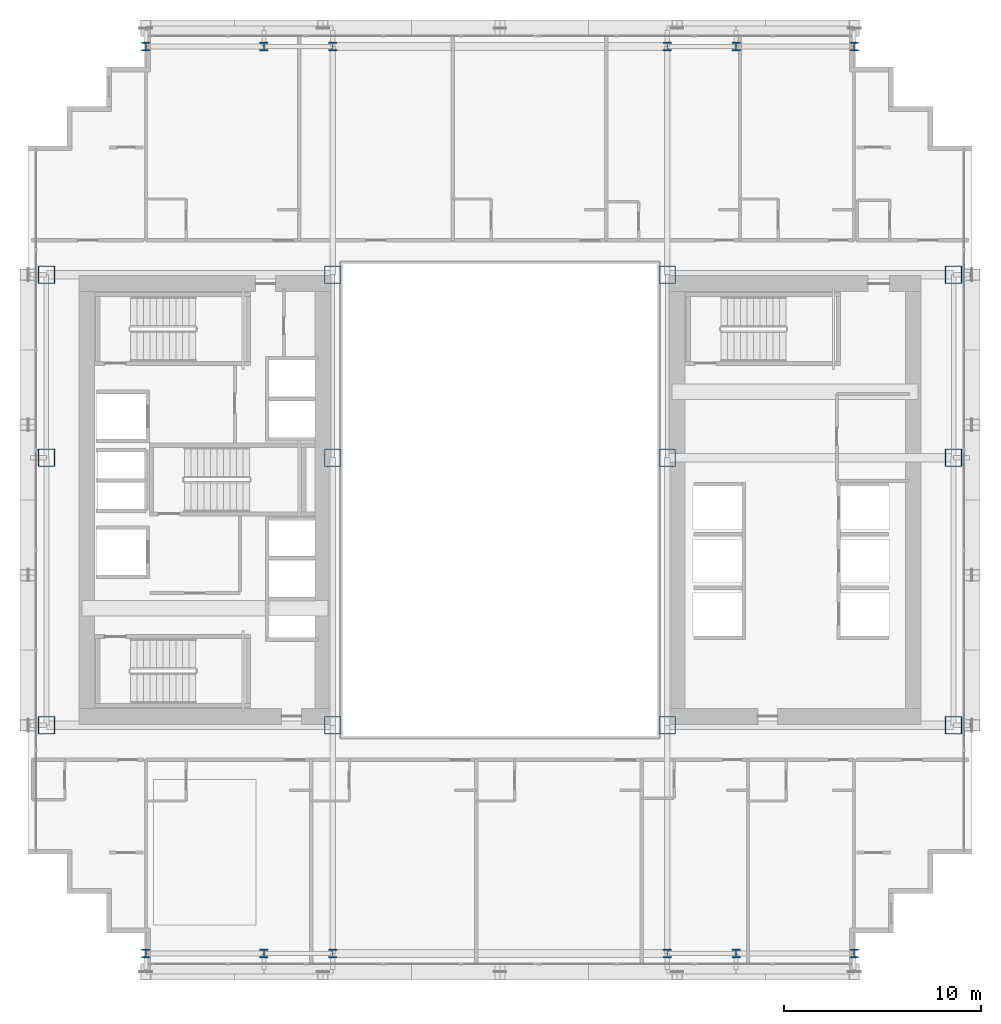
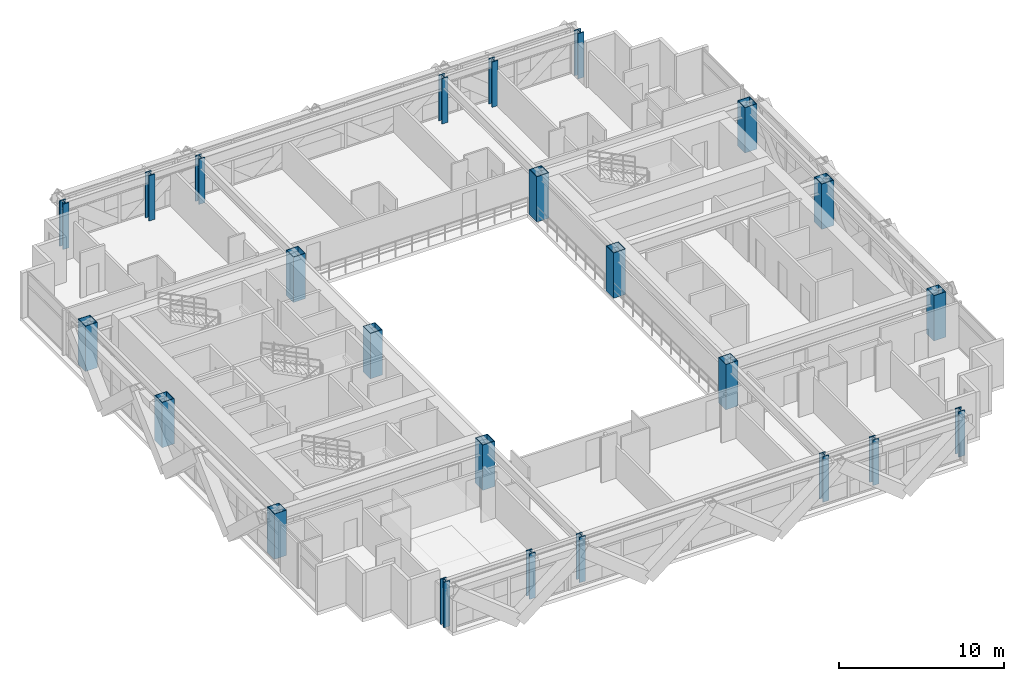
# One storey, part 1 of 38: 24 columns.
"""IFC4 building model written with IfcOpenShell, lengths in metres."""

from ifc_helpers import new_model, si_unit, direction, frame, origin, origin_2d, place, context, subcontext, project, spatial, hollow_rectangle, i_section, extrude, source, transform, mapped, material, material_profile, profile_set, type_object, element, save


model = new_model("IFC4")

# Units and contexts
model_context = context("Model", 3, precision=1e-05, world=origin(), true_north=direction((0.0, 1.0)))
body_context = subcontext(model_context, "Body", "Model", "MODEL_VIEW")
ifc_project = project(units=[si_unit("LENGTHUNIT", "METRE"), si_unit("AREAUNIT", "SQUARE_METRE"), si_unit("VOLUMEUNIT", "CUBIC_METRE"), si_unit("PLANEANGLEUNIT", "RADIAN"), si_unit("MASSUNIT", "GRAM", prefix="KILO")], contexts=[model_context])

# Site, building, storey
site_placement = place(None, origin())
site = spatial("IfcSite", under=ifc_project, at=site_placement, CompositionType="ELEMENT")
building_placement = place(site_placement, origin())
building = spatial("IfcBuilding", under=site, at=building_placement, Name="Ocotamira Hotel", CompositionType="ELEMENT")
storey_placement = place(building_placement, frame((0.0, 0.0, 60.0)))
storey = spatial("IfcBuildingStorey", under=building, at=storey_placement, Name="L14", CompositionType="ELEMENT", Elevation=60.0)

# Columns
ifc_material = material(Name="Steel ASTM A913 Grade 65", Category="steel")
ifc_material_profile_1 = material_profile(ifc_material, hollow_rectangle(XDim=0.85009765625, YDim=0.89990234375, WallThickness=0.0400390625, at=origin_2d()), Name="BOX900X850X40")
ifc_profile_set_1 = profile_set([ifc_material_profile_1], Name="Steel ASTM A913 Grade 65")
column_type_1 = type_object("IfcColumnType", Name="COL-BOX900", PredefinedType="COLUMN", material=ifc_profile_set_1)
shared_shape_1 = source(origin(), body_context, "Body", "SweptSolid", [
    extrude(hollow_rectangle(XDim=0.85009765625, YDim=0.89990234375, WallThickness=0.0400390625, at=origin_2d()), origin(), (0.0, 0.0, 1.0), 3.35009765625),
])
for number, where, z_axis, x_axis, name in (
    (1, (8.949951171875, 14.550048828125, 0.0), (0.0, 0.0, 1.0), (1.0, 0.0, 0.0), "L14 Column TW8_14"),
    (2, (23.5, 14.550048828125, 0.0), (0.0, 0.0, 1.0), (1.0, 0.0, 0.0), "L14 Column TW23_14"),
    (3, (40.5, 14.550048828125, 0.0), (0.0, 0.0, 1.0), (1.0, 0.0, 0.0), "L14 Column TE40_14"),
    (4, (55.050048828125, 14.550048828125, 0.0), (0.0, 0.0, 1.0), (1.0, 0.0, 0.0), "L14 Column TE55_14"),
    (5, (8.949951171875, 28.14990234375, 0.0), (0.0, 0.0, 1.0), (1.0, 0.0, 0.0), "L14 Column TW8_28"),
    (6, (23.5, 28.14990234375, 0.0), (0.0, 0.0, 1.0), (1.0, 0.0, 0.0), "L14 Column TW23_28"),
    (7, (40.5, 28.14990234375, 0.0), (0.0, 0.0, 1.0), (1.0, 0.0, 0.0), "L14 Column TE40_28"),
    (8, (55.050048828125, 28.14990234375, 0.0), (0.0, 0.0, 1.0), (1.0, 0.0, 0.0), "L14 Column TE55_28"),
    (9, (8.949951171875, 37.449951171875, 0.0), (0.0, 0.0, 1.0), (1.0, 0.0, 0.0), "L14 Column TW8_37"),
    (10, (23.5, 37.449951171875, 0.0), (0.0, 0.0, 1.0), (1.0, 0.0, 0.0), "L14 Column TW23_37"),
    (11, (40.5, 37.449951171875, 0.0), (0.0, 0.0, 1.0), (1.0, 0.0, 0.0), "L14 Column TE40_37"),
    (12, (55.050048828125, 37.449951171875, 0.0), (0.0, 0.0, 1.0), (1.0, 0.0, 0.0), "L14 Column TE55_37"),
):
    element("IfcColumn", number, at=place(storey_placement, frame(where, z_axis=z_axis, x_axis=x_axis)), inside=storey, type_object=column_type_1, Name=name, PredefinedType="COLUMN", context=body_context, shape_type="MappedRepresentation", body=[
        mapped(shared_shape_1, transform((0.0, 0.0, 0.0), scale=1.0)),
    ])
ifc_material_profile_2 = material_profile(ifc_material, i_section(OverallWidth=0.422119140625, OverallDepth=0.465087890625, WebThickness=0.044921875, FlangeThickness=0.072509765625, FilletRadius=0.02490234375, at=origin_2d()), Name="W14X398")
ifc_profile_set_2 = profile_set([ifc_material_profile_2], Name="Steel ASTM A913 Grade 65")
column_type_2 = type_object("IfcColumnType", Name="COL-W14X398", PredefinedType="COLUMN", material=ifc_profile_set_2)
shared_shape_2 = source(origin(), body_context, "Body", "SweptSolid", [
    extrude(i_section(OverallWidth=0.422119140625, OverallDepth=0.465087890625, WebThickness=0.044921875, FlangeThickness=0.072509765625, FilletRadius=0.02490234375, at=origin_2d()), origin(), (0.0, 0.0, 1.0), 3.35009765625),
])
for number, where, z_axis, x_axis, name in (
    (13, (14.0, 2.949951171875, 0.0), (0.0, 0.0, 1.0), (1.0, 0.0, 0.0), "L14 Column NSP1_14"),
    (14, (20.0, 2.949951171875, 0.0), (0.0, 0.0, 1.0), (1.0, 0.0, 0.0), "L14 Column NSP1_20"),
    (15, (23.5, 2.949951171875, 0.0), (0.0, 0.0, 1.0), (1.0, 0.0, 0.0), "L14 Column NSP1_23"),
    (16, (40.5, 2.949951171875, 0.0), (0.0, 0.0, 1.0), (1.0, 0.0, 0.0), "L14 Column NSP1_40"),
    (17, (44.0, 2.949951171875, 0.0), (0.0, 0.0, 1.0), (1.0, 0.0, 0.0), "L14 Column NSP1_44"),
    (18, (50.0, 2.949951171875, 0.0), (0.0, 0.0, 1.0), (1.0, 0.0, 0.0), "L14 Column NSP1_50"),
    (19, (14.0, 49.050048828125, 0.0), (0.0, 0.0, 1.0), (1.0, 0.0, 0.0), "L14 Column NSP2_14"),
    (20, (20.0, 49.050048828125, 0.0), (0.0, 0.0, 1.0), (1.0, 0.0, 0.0), "L14 Column NSP2_20"),
    (21, (23.5, 49.050048828125, 0.0), (0.0, 0.0, 1.0), (1.0, 0.0, 0.0), "L14 Column NSP2_23"),
    (22, (40.5, 49.050048828125, 0.0), (0.0, 0.0, 1.0), (1.0, 0.0, 0.0), "L14 Column NSP2_40"),
    (23, (44.0, 49.050048828125, 0.0), (0.0, 0.0, 1.0), (1.0, 0.0, 0.0), "L14 Column NSP2_44"),
    (24, (50.0, 49.050048828125, 0.0), (0.0, 0.0, 1.0), (1.0, 0.0, 0.0), "L14 Column NSP2_50"),
):
    element("IfcColumn", number, at=place(storey_placement, frame(where, z_axis=z_axis, x_axis=x_axis)), inside=storey, type_object=column_type_2, Name=name, PredefinedType="COLUMN", context=body_context, shape_type="MappedRepresentation", body=[
        mapped(shared_shape_2, transform((0.0, 0.0, 0.0), scale=1.0)),
    ])

save(model, "model.ifc")
